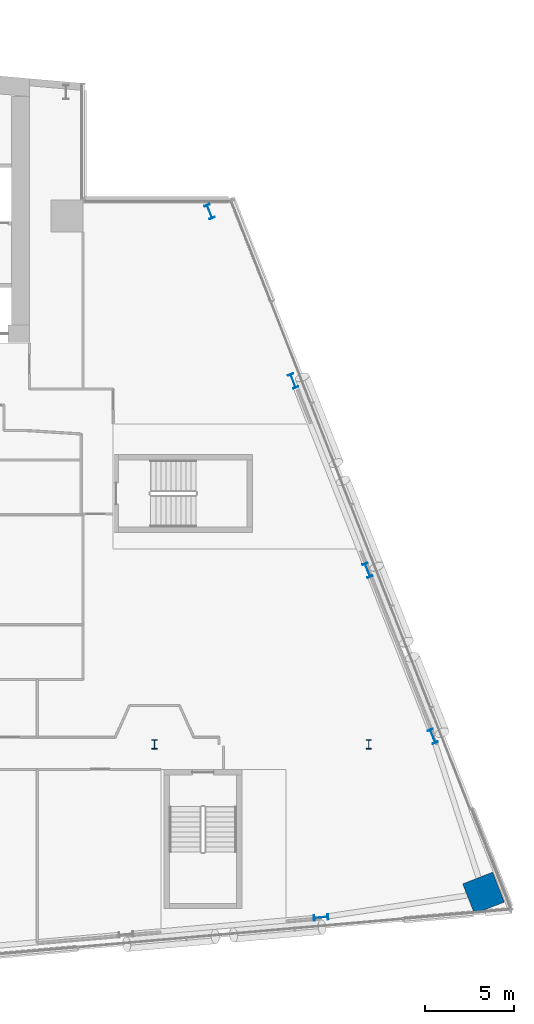
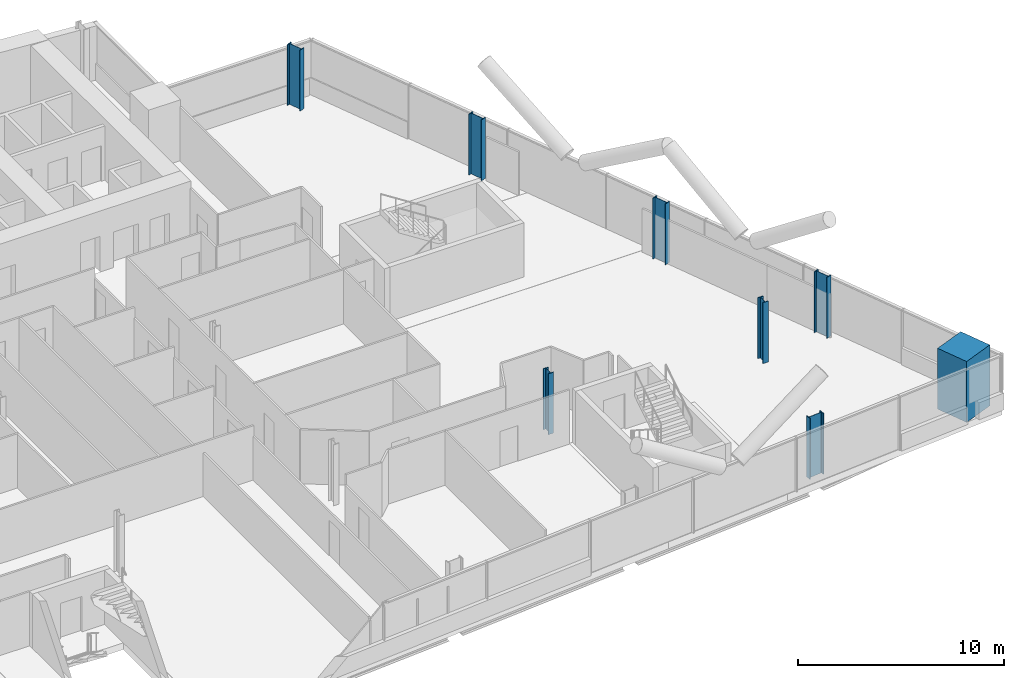
# One storey, part 4 of 27: 8 columns.
"""IFC4 building model written with IfcOpenShell, lengths in metres."""

from ifc_helpers import new_model, si_unit, direction, frame, origin, origin_2d, place, context, subcontext, project, spatial, rectangle, i_section, extrude, material, material_profile, profile_set, type_object, element, save


model = new_model("IFC4")

# Units and contexts
model_context = context("Model", 3, precision=1e-05, world=origin(), true_north=direction((0.0, 1.0)))
body_context = subcontext(model_context, "Body", "Model", "MODEL_VIEW")
ifc_project = project(units=[si_unit("LENGTHUNIT", "METRE"), si_unit("AREAUNIT", "SQUARE_METRE"), si_unit("VOLUMEUNIT", "CUBIC_METRE"), si_unit("PLANEANGLEUNIT", "RADIAN"), si_unit("MASSUNIT", "GRAM", prefix="KILO")], contexts=[model_context])

# Site, building, storey
site_placement = place(None, origin())
site = spatial("IfcSite", under=ifc_project, at=site_placement, CompositionType="ELEMENT")
building_placement = place(site_placement, origin())
building = spatial("IfcBuilding", under=site, at=building_placement, Name="Wharfspan Tower", CompositionType="ELEMENT")
storey_placement = place(building_placement, frame((0.0, 0.0, 111.100098)))
storey = spatial("IfcBuildingStorey", under=building, at=storey_placement, Name="L25", CompositionType="ELEMENT", Elevation=111.100098)

# Columns
ifc_material_1 = material(Name="Steel S355J2", Category="steel")
ifc_material_profile_1 = material_profile(ifc_material_1, i_section(OverallWidth=0.305908, OverallDepth=0.523926, WebThickness=0.020996, FlangeThickness=0.040039, FilletRadius=0.0271, at=origin_2d()))
ifc_profile_set_1 = profile_set([ifc_material_profile_1], Name="Steel S355J2")
column_type_1 = type_object("IfcColumnType", Name="Column HEM 500", PredefinedType="COLUMN", material=ifc_profile_set_1)
for number, where, z_axis, x_axis, name in (
    (1, (72.0, 11.5, 0.0), (0.0, 0.0, 1.0), (1.0, 0.0, 0.0), "Interior column I.1.6 L25"),
    (2, (84.0, 11.5, 0.0), (0.0, 0.0, 1.0), (1.0, 0.0, 0.0), "Interior column I.1.7 L25"),
):
    element("IfcColumn", number, at=place(storey_placement, frame(where, z_axis=z_axis, x_axis=x_axis)), inside=storey, type_object=column_type_1, Name=name, PredefinedType="COLUMN", context=body_context, shape_type="SweptSolid", body=[
        extrude(i_section(OverallWidth=0.305908, OverallDepth=0.523926, WebThickness=0.020996, FlangeThickness=0.040039, FilletRadius=0.0271, at=origin_2d()), origin(), (0.0, 0.0, 1.0), 3.599854),
    ])
ifc_material_profile_2 = material_profile(ifc_material_1, i_section(OverallWidth=0.302979, OverallDepth=0.813965, WebThickness=0.020996, FlangeThickness=0.040039, FilletRadius=0.030029, at=origin_2d()))
ifc_profile_set_2 = profile_set([ifc_material_profile_2], Name="Steel S355J2")
column_type_2 = type_object("IfcColumnType", Name="Column HEM 800", PredefinedType="COLUMN", material=ifc_profile_set_2)
for number, where, z_axis, x_axis, name in (
    (3, (81.327881, 1.80835, 0.0), (0.0, 0.0, 1.0), (0.087156, -0.996198, 0.0), "Perimeter column PS2.3 L25"),
    (4, (87.586914, 11.952393, 0.0), (0.0, 0.0, 1.0), (0.930702, 0.365778, 0.0), "Perimeter column PE.1 L25"),
    (5, (83.932617, 21.250977, 0.0), (0.0, 0.0, 1.0), (0.930702, 0.365778, 0.0), "Perimeter column PE.2 L25"),
    (6, (79.765869, 31.852539, 0.0), (0.0, 0.0, 1.0), (0.930702, 0.365778, 0.0), "Perimeter column PE.3 L25"),
    (7, (75.084961, 41.337646, 0.0), (0.0, 0.0, 1.0), (0.930702, 0.365778, 0.0), "Perimeter column PE.4 L25"),
):
    element("IfcColumn", number, at=place(storey_placement, frame(where, z_axis=z_axis, x_axis=x_axis)), inside=storey, type_object=column_type_2, Name=name, PredefinedType="COLUMN", context=body_context, shape_type="SweptSolid", body=[
        extrude(i_section(OverallWidth=0.302979, OverallDepth=0.813965, WebThickness=0.020996, FlangeThickness=0.040039, FilletRadius=0.030029, at=origin_2d()), origin(), (0.0, 0.0, 1.0), 3.599854),
    ])
ifc_material_2 = material(Name="Concrete C70/85", Category="concrete")
ifc_material_profile_3 = material_profile(ifc_material_2, rectangle(XDim=1.800049, YDim=1.800049, at=origin_2d()))
ifc_profile_set_3 = profile_set([ifc_material_profile_3], Name="Concrete C70/85")
column_type_3 = type_object("IfcColumnType", Name="Mega column 1800 C70/85", PredefinedType="COLUMN", material=ifc_profile_set_3)
column_placement = place(storey_placement, frame((90.427246, 3.174072, 0.0), z_axis=(0.0, 0.0, 1.0), x_axis=(-0.365778, 0.930702, 0.0)))
element("IfcColumn", 8, at=column_placement, inside=storey, type_object=column_type_3, Name="Mega column MC4 L25", PredefinedType="COLUMN", context=body_context, shape_type="SweptSolid", body=[
    extrude(rectangle(XDim=1.800049, YDim=1.800049, at=origin_2d()), origin(), (0.0, 0.0, 1.0), 3.599854),
])

save(model, "model.ifc")
